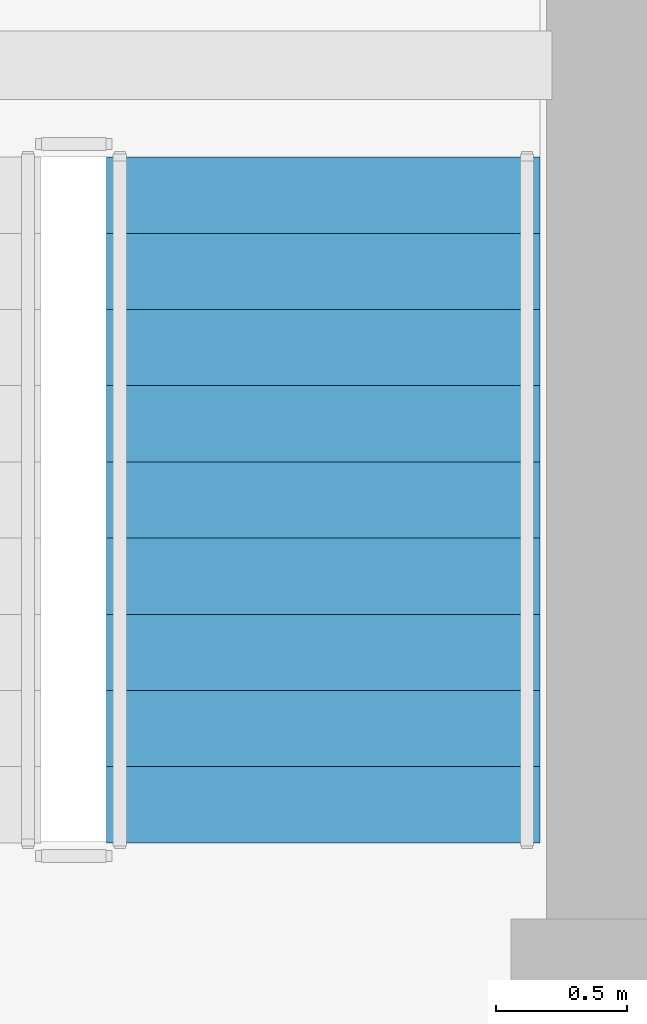
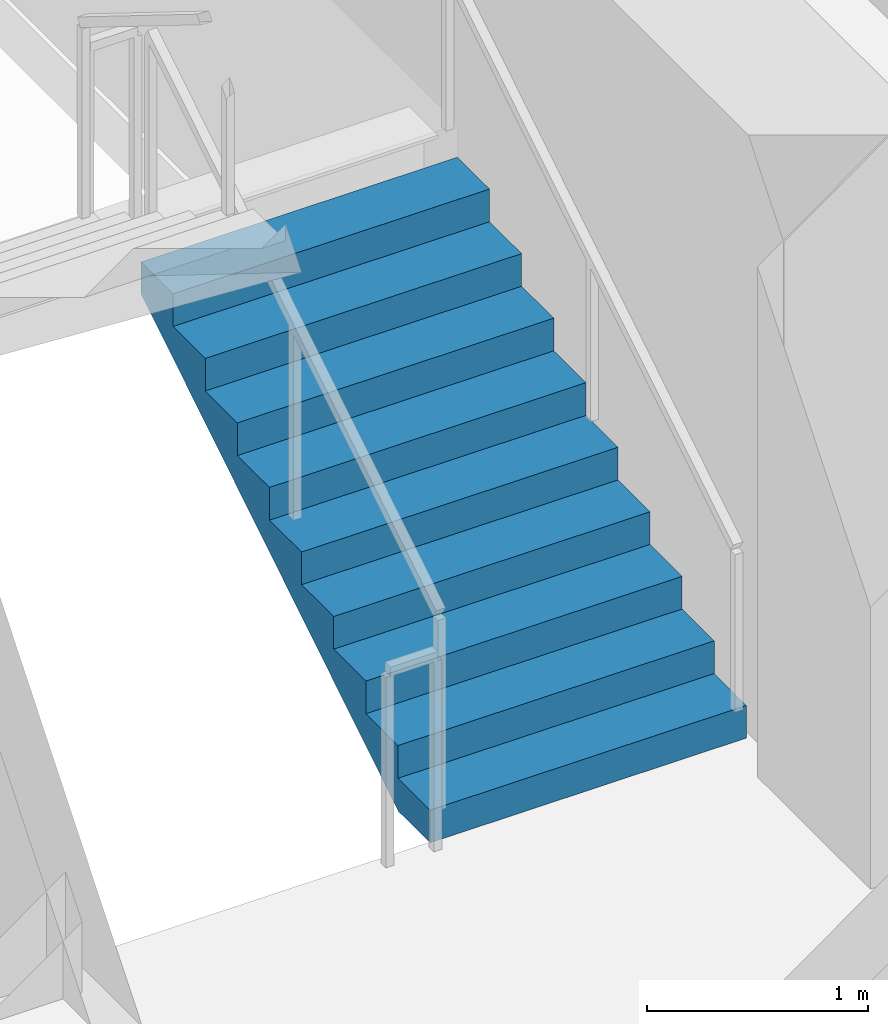
# One storey, part 12 of 14: 1 stair flight, 1 element without a shape of its own.
"""IFC4 building model written with IfcOpenShell, lengths in metres."""

import ifcopenshell
import ifcopenshell.guid

model = None  # the IFC model being written
_history = None  # IfcOwnerHistory: only IFC2X3 demands one
_inside = {}  # id of a spatial element -> (the spatial element, [elements in it])
_under = {}  # id of a project, library or spatial element -> (it, [spatial elements below it])
_declared = {}  # id of a project -> (the project, [libraries it declares])
_typed = {}  # id of a type object -> (the type object, [elements of that type])
_made_of = {}  # id of a material, layer set ... -> (it, [elements and type objects made of it])


def new_model(schema):
    """Start an empty IFC model of exactly this schema.

    Asked for "IFC4X3", IfcOpenShell would pick the latest addendum, in which some entities
    have other attributes; the version numbers below select the first issue.
    IFC2X3 requires an IfcOwnerHistory on every rooted entity: one is made here for all.
    """
    global model, _history
    if schema == "IFC4X3":
        model = ifcopenshell.file(schema_version=(4, 3, 0, 0))
    else:
        model = ifcopenshell.file(schema=schema)
    _inside.clear()
    _under.clear()
    _declared.clear()
    _typed.clear()
    _made_of.clear()
    _history = None
    if model.schema == "IFC2X3":
        org = make("IfcOrganization", Name="unknown")
        user = make(
            "IfcPersonAndOrganization",
            ThePerson=make("IfcPerson", FamilyName="unknown"),
            TheOrganization=org,
        )
        app = make(
            "IfcApplication",
            ApplicationDeveloper=org,
            Version="unknown",
            ApplicationFullName="unknown",
            ApplicationIdentifier="unknown",
        )
        _history = make(
            "IfcOwnerHistory",
            OwningUser=user,
            OwningApplication=app,
            ChangeAction="ADDED",
            CreationDate=0,
        )
    return model


def make(cls, **values):
    """One entity of the class cls with the attributes given. An attribute that is None is left unset."""
    return model.create_entity(
        cls, **{name: value for name, value in values.items() if value is not None}
    )


def rooted(cls, **values):
    """An entity with a GlobalId (a new one), such as an element, a storey or a relation."""
    return make(cls, GlobalId=ifcopenshell.guid.new(), OwnerHistory=_history, **values)


def si_unit(unit_type, name, prefix=None):
    """IfcSIUnit, for example si_unit("LENGTHUNIT", "METRE", prefix="MILLI")."""
    return make("IfcSIUnit", UnitType=unit_type, Prefix=prefix, Name=name)


def derived_unit(unit_type, elements):
    """IfcDerivedUnit: a product of units, each with its exponent."""
    return make(
        "IfcDerivedUnit",
        Elements=[
            make("IfcDerivedUnitElement", Unit=unit, Exponent=power)
            for unit, power in elements
        ],
        UnitType=unit_type,
    )


def assignment(units):
    """IfcUnitAssignment: the units of a project."""
    return None if units is None else make("IfcUnitAssignment", Units=units)


def point(xyz):
    """IfcCartesianPoint."""
    return None if xyz is None else make("IfcCartesianPoint", Coordinates=xyz)


def direction(xyz):
    """IfcDirection."""
    return None if xyz is None else make("IfcDirection", DirectionRatios=xyz)


def frame(location, z_axis=None, x_axis=None):
    """IfcAxis2Placement3D, a coordinate frame: its origin and axes. An axis left out is left unset."""
    return make(
        "IfcAxis2Placement3D",
        Location=point(location),
        Axis=direction(z_axis),
        RefDirection=direction(x_axis),
    )


def origin():
    """The frame at (0, 0, 0) with its axes left unset."""
    return frame((0.0, 0.0, 0.0))


def place(relative_to, where):
    """IfcLocalPlacement: puts the frame where relative to a parent placement (None: the world)."""
    return make(
        "IfcLocalPlacement", PlacementRelTo=relative_to, RelativePlacement=where
    )


def context(
    kind, dimensions, precision=None, world=None, true_north=None, identifier=None
):
    """IfcGeometricRepresentationContext, for example the 3D "Model" context."""
    return make(
        "IfcGeometricRepresentationContext",
        ContextIdentifier=identifier,
        ContextType=kind,
        CoordinateSpaceDimension=dimensions,
        Precision=precision,
        WorldCoordinateSystem=world,
        TrueNorth=true_north,
    )


def subcontext(parent, identifier, kind, view, scale=None):
    """IfcGeometricRepresentationSubContext, for example "Body" below "Model"."""
    return make(
        "IfcGeometricRepresentationSubContext",
        ContextIdentifier=identifier,
        ContextType=kind,
        ParentContext=parent,
        TargetScale=scale,
        TargetView=view,
    )


def project(units=None, contexts=None):
    """IfcProject with its units and contexts."""
    return rooted(
        "IfcProject",
        Name="project",
        RepresentationContexts=contexts,
        UnitsInContext=assignment(units),
    )


def spatial(cls, under=None, at=None, **own):
    """A site, building, storey or space (cls), placed at a placement, below another one or the project."""
    s = rooted(cls, ObjectPlacement=at, **own)
    if under is not None:
        _under.setdefault(under.id(), (under, []))[1].append(s)
    return s


def polyline(points):
    """IfcPolyline through the points."""
    return make("IfcPolyline", Points=[point(p) for p in points])


def outline(outer, holes=None, kind="AREA"):
    """IfcArbitraryClosedProfileDef: a profile drawn as a closed curve; with holes, ...WithVoids."""
    if holes is None:
        return make("IfcArbitraryClosedProfileDef", ProfileType=kind, OuterCurve=outer)
    return make(
        "IfcArbitraryProfileDefWithVoids",
        ProfileType=kind,
        OuterCurve=outer,
        InnerCurves=holes,
    )


def extrude(swept, where, along, depth):
    """IfcExtrudedAreaSolid: the profile swept, set in the frame where, extruded along a direction by depth."""
    return make(
        "IfcExtrudedAreaSolid",
        SweptArea=swept,
        Position=where,
        ExtrudedDirection=direction(along),
        Depth=depth,
    )


def shape(context_of_items, identifier, shape_type, items):
    """IfcShapeRepresentation: the items that make up one representation, for example the "Body"."""
    return make(
        "IfcShapeRepresentation",
        ContextOfItems=context_of_items,
        RepresentationIdentifier=identifier,
        RepresentationType=shape_type,
        Items=items,
    )


def material(Name=None, Category=None):
    """IfcMaterial."""
    return make("IfcMaterial", Name=Name, Category=Category)


def made_of(thing, what):
    """Note that an element or type object is made of a material, layer set ...; save() writes the relation."""
    if what is not None:
        _made_of.setdefault(what.id(), (what, []))[1].append(thing)
    return thing


def type_object(cls, material=None, **own):
    """A type object (cls), such as IfcWallType, which elements share."""
    return made_of(rooted(cls, **own), material)


def element(
    cls,
    number,
    at=None,
    inside=None,
    cuts=None,
    type_object=None,
    material=None,
    context=None,
    identifier="Body",
    shape_type=None,
    held_by="IfcProductDefinitionShape",
    body=None,
    shapes=None,
    **own,
):
    """One element of the class cls, such as IfcWall. Its Tag is "e" and its number.

    at: its placement. inside: the storey or other place that contains it. cuts: it is an
    opening in that element (IfcRelVoidsElement). A single representation is given by context,
    identifier, shape_type and body (its items); several are given by shapes. held_by: the class
    of the entity that holds the representations. save() writes the other relations.
    """
    e = rooted(cls, Tag="e%d" % number, ObjectPlacement=at, **own)
    if body is not None:
        shapes = [shape(context, identifier, shape_type, body)]
    if shapes is not None:
        e.Representation = make(held_by, Representations=shapes)
    if inside is not None:
        _inside.setdefault(inside.id(), (inside, []))[1].append(e)
    if cuts is not None:
        rooted(
            "IfcRelVoidsElement", RelatingBuildingElement=cuts, RelatedOpeningElement=e
        )
    if type_object is not None:
        _typed.setdefault(type_object.id(), (type_object, []))[1].append(e)
    return made_of(e, material)


def aggregate(whole, parts):
    """IfcRelAggregates: a whole, such as a stair, and the parts it consists of."""
    return rooted("IfcRelAggregates", RelatingObject=whole, RelatedObjects=parts)


def save(model, path):
    """Write the relations noted so far, then the file.

    IfcRelAggregates (storeys below a building ...), IfcRelContainedInSpatialStructure (elements
    in a storey), IfcRelDefinesByType, IfcRelAssociatesMaterial and IfcRelDeclares: one each for
    every whole, place, type object, material and project.
    """
    for whole, parts in _under.values():
        aggregate(whole, parts)
    for where, things in _inside.values():
        rooted(
            "IfcRelContainedInSpatialStructure",
            RelatedElements=things,
            RelatingStructure=where,
        )
    for kind, things in _typed.values():
        rooted("IfcRelDefinesByType", RelatedObjects=things, RelatingType=kind)
    for what, things in _made_of.values():
        rooted("IfcRelAssociatesMaterial", RelatedObjects=things, RelatingMaterial=what)
    for by, libraries in _declared.values():
        rooted("IfcRelDeclares", RelatingContext=by, RelatedDefinitions=libraries)
    model.write(path)


model = new_model("IFC4")

# Units and contexts
model_context = context("Model", 3, precision=1e-05, world=origin(), true_north=direction((0.0, 1.0)))
body_context = subcontext(model_context, "Body", "Model", "MODEL_VIEW")
ifc_project = project(units=[si_unit("LENGTHUNIT", "METRE"), si_unit("AREAUNIT", "SQUARE_METRE"), si_unit("VOLUMEUNIT", "CUBIC_METRE"), si_unit("PLANEANGLEUNIT", "RADIAN"), si_unit("MASSUNIT", "GRAM", prefix="KILO"), derived_unit("THERMALTRANSMITTANCEUNIT", [(si_unit("POWERUNIT", "WATT"), 1), (si_unit("LENGTHUNIT", "METRE"), -2), (si_unit("THERMODYNAMICTEMPERATUREUNIT", "KELVIN"), -1)])], contexts=[model_context])

# Site, building, storey
site_placement = place(None, origin())
site = spatial("IfcSite", under=ifc_project, at=site_placement, CompositionType="ELEMENT")
building_placement = place(site_placement, origin())
building = spatial("IfcBuilding", under=site, at=building_placement, Name="Koralith Skygarden Medical Center", CompositionType="ELEMENT")
storey_placement = place(building_placement, frame((0.0, 0.0, 120.780029296875)))
storey = spatial("IfcBuildingStorey", under=building, at=storey_placement, Name="L31", CompositionType="ELEMENT", Elevation=120.780029296875)

# Stair, stair flight
ifc_material = material(Name="Concrete C45/55", Category="concrete")
stair_type = type_object("IfcStairType", Name="Core Exit Dogleg Concrete Stair", PredefinedType="HALF_TURN_STAIR", material=ifc_material)
stair_placement = place(storey_placement, origin())
stair = element("IfcStair", 1, at=stair_placement, inside=storey, type_object=stair_type, Name="L31 Smokeproof Exit Stair ST2", PredefinedType="HALF_TURN_STAIR")
stair_flight_type = type_object("IfcStairFlightType", Name="Core Exit Concrete Stair Flight 1650", PredefinedType="STRAIGHT", material=ifc_material)
stair_flight_placement = place(storey_placement, frame((46.97509765625, 26.699951171875, 0.0), z_axis=(0.0, 0.0, 1.0), x_axis=(0.0, 1.0, 0.0)))
stair_flight = element("IfcStairFlight", 2, at=stair_flight_placement, type_object=stair_flight_type, Name="ST2 flight 1", NumberOfRisers=10, NumberOfTreads=9, PredefinedType="STRAIGHT", RiserHeight=0.18, TreadLength=0.29, context=body_context, shape_type="SweptSolid", body=[
    extrude(outline(polyline([(0.0, 0.0), (0.0, 0.179931640625), (0.2900390625, 0.179931640625), (0.2900390625, 0.360107421875), (0.580078125, 0.360107421875), (0.580078125, 0.5400390625), (0.8701171875, 0.5400390625), (0.8701171875, 0.719970703125), (1.159912109375, 0.719970703125), (1.159912109375, 0.89990234375), (1.449951171875, 0.89990234375), (1.449951171875, 1.080078125), (1.739990234375, 1.080078125), (1.739990234375, 1.260009765625), (2.030029296875, 1.260009765625), (2.030029296875, 1.43994140625), (2.320068359375, 1.43994140625), (2.320068359375, 1.6201171875), (2.610107421875, 1.6201171875), (2.610107421875, 1.800048828125), (2.610107421875, 1.443603515625), (0.2841796875, 0.0), (0.0, 0.0)])), frame((0.0, 0.824951171875, 0.0), z_axis=(0.0, -1.0, 0.0), x_axis=(1.0, 0.0, 0.0)), (0.0, 0.0, 1.0), 1.64990234375),
])
aggregate(stair, [stair_flight])

save(model, "model.ifc")
